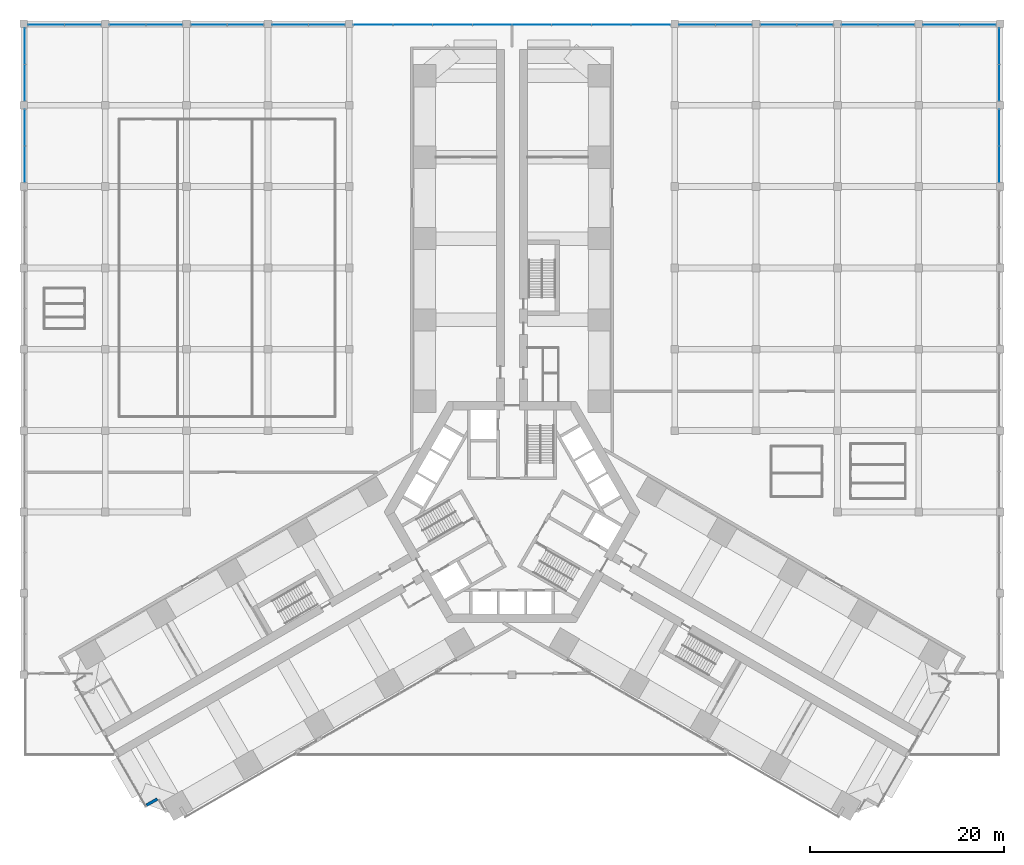
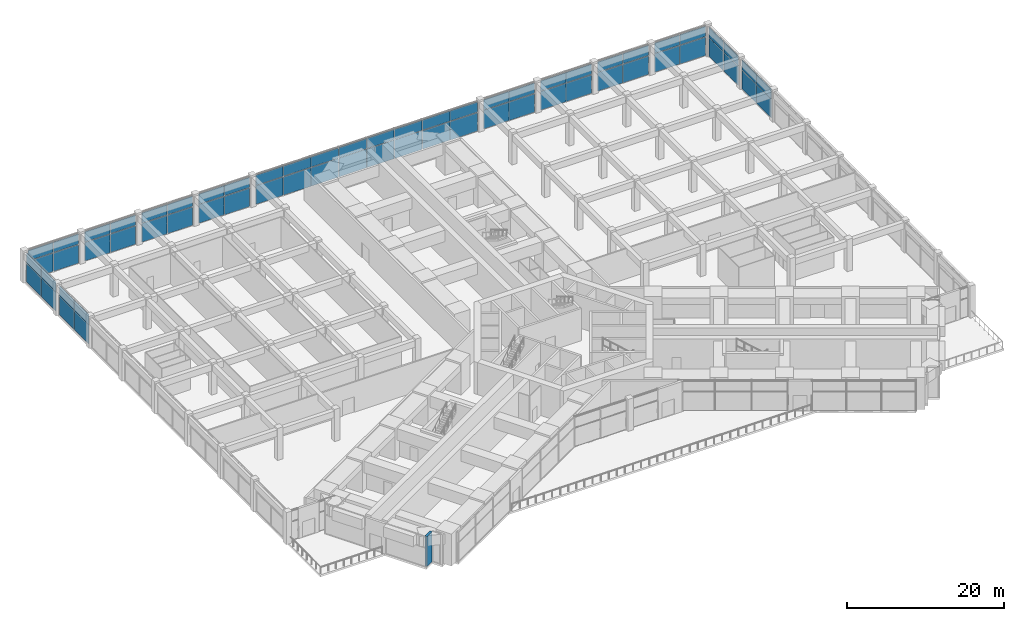
# One storey, part 26 of 34: 64 plates, 1 wall, 13 elements without a shape of their own.
"""IFC4 building model written with IfcOpenShell, lengths in metres."""

from ifc_helpers import new_model, si_unit, direction, frame, frame_2d, origin, origin_2d, place, context, subcontext, project, spatial, rectangle, extrude, material, layer, layer_set, type_object, element, aggregate, save


model = new_model("IFC4")

# Units and contexts
model_context = context("Model", 3, precision=1e-05, world=origin(), true_north=direction((0.0, 1.0)))
body_context = subcontext(model_context, "Body", "Model", "MODEL_VIEW")
ifc_project = project(units=[si_unit("LENGTHUNIT", "METRE"), si_unit("AREAUNIT", "SQUARE_METRE"), si_unit("VOLUMEUNIT", "CUBIC_METRE"), si_unit("PLANEANGLEUNIT", "RADIAN"), si_unit("MASSUNIT", "GRAM", prefix="KILO")], contexts=[model_context])

# Site, building, storey
site_placement = place(None, origin())
site = spatial("IfcSite", under=ifc_project, at=site_placement, CompositionType="ELEMENT")
building_placement = place(site_placement, origin())
building = spatial("IfcBuilding", under=site, at=building_placement, Name="Impinga Residences", CompositionType="ELEMENT")
storey_placement = place(building_placement, frame((0.0, 0.0, 16.0)))
storey = spatial("IfcBuildingStorey", under=building, at=storey_placement, Name="L03", CompositionType="ELEMENT", Elevation=16.0)

# Curtain wall, plates
ifc_material_1 = material(Name="Aluminium stick curtain wall", Category="aluminium")
curtain_wall_type = type_object("IfcCurtainWallType", Name="CW1 podium amenity curtain wall", PredefinedType="USERDEFINED", material=ifc_material_1)
curtain_wall_1_placement = place(storey_placement, origin())
curtain_wall_1 = element("IfcCurtainWall", 1, at=curtain_wall_1_placement, inside=storey, type_object=curtain_wall_type, Name="Curtain wall CW1 L03", ObjectType="STICK CURTAIN WALL", PredefinedType="USERDEFINED")
ifc_material_2 = material(Name="Clear double glazing", Category="glass")
ifc_layer_1 = layer(ifc_material_2, 0.028076171875)
ifc_layer_set_1 = layer_set([ifc_layer_1], Name="CW1-P clear double glazed panel 28")
plate_type = type_object("IfcPlateType", Name="CW1-P clear double glazed panel 28", PredefinedType="CURTAIN_PANEL", material=ifc_layer_set_1)
plate_1_placement = place(storey_placement, frame((-50.300048828125, 35.91650390625, 0.06005859375), z_axis=(0.0, 0.0, 1.0), x_axis=(0.0, 1.0, 0.0)))
plate_1 = element("IfcPlate", 2, at=plate_1_placement, type_object=plate_type, Name="CW1 panel 1.1", PredefinedType="CURTAIN_PANEL", context=body_context, shape_type="SweptSolid", body=[
    extrude(rectangle(XDim=3.70703125, YDim=0.028076171875, at=origin_2d()), origin(), (0.0, 0.0, 1.0), 2.909912109375),
])
plate_2_placement = place(storey_placement, frame((-50.300048828125, 35.91650390625, 3.02978515625), z_axis=(0.0, 0.0, 1.0), x_axis=(0.0, 1.0, 0.0)))
plate_2 = element("IfcPlate", 3, at=plate_2_placement, type_object=plate_type, Name="CW1 panel 1.2", PredefinedType="CURTAIN_PANEL", context=body_context, shape_type="SweptSolid", body=[
    extrude(rectangle(XDim=3.70703125, YDim=0.028076171875, at=origin_2d()), origin(), (0.0, 0.0, 1.0), 1.610107421875),
])
plate_3_placement = place(storey_placement, frame((-50.300048828125, 39.68359375, 0.06005859375), z_axis=(0.0, 0.0, 1.0), x_axis=(0.0, 1.0, 0.0)))
plate_3 = element("IfcPlate", 4, at=plate_3_placement, type_object=plate_type, Name="CW1 panel 2.1", PredefinedType="CURTAIN_PANEL", context=body_context, shape_type="SweptSolid", body=[
    extrude(rectangle(XDim=3.70703125, YDim=0.028076171875, at=origin_2d()), origin(), (0.0, 0.0, 1.0), 2.909912109375),
])
plate_4_placement = place(storey_placement, frame((-50.300048828125, 39.68359375, 3.02978515625), z_axis=(0.0, 0.0, 1.0), x_axis=(0.0, 1.0, 0.0)))
plate_4 = element("IfcPlate", 5, at=plate_4_placement, type_object=plate_type, Name="CW1 panel 2.2", PredefinedType="CURTAIN_PANEL", context=body_context, shape_type="SweptSolid", body=[
    extrude(rectangle(XDim=3.70703125, YDim=0.028076171875, at=origin_2d()), origin(), (0.0, 0.0, 1.0), 1.610107421875),
])
aggregate(curtain_wall_1, [plate_1, plate_2, plate_3, plate_4])

curtain_wall_2_placement = place(storey_placement, origin())
curtain_wall_2 = element("IfcCurtainWall", 6, at=curtain_wall_2_placement, inside=storey, type_object=curtain_wall_type, Name="Curtain wall CW1 L03", ObjectType="STICK CURTAIN WALL", PredefinedType="USERDEFINED")
plate_5_placement = place(storey_placement, frame((-50.300048828125, 44.31640625, 0.06005859375), z_axis=(0.0, 0.0, 1.0), x_axis=(0.0, 1.0, 0.0)))
plate_5 = element("IfcPlate", 7, at=plate_5_placement, type_object=plate_type, Name="CW1 panel 1.1", PredefinedType="CURTAIN_PANEL", context=body_context, shape_type="SweptSolid", body=[
    extrude(rectangle(XDim=3.70703125, YDim=0.028076171875, at=origin_2d()), origin(), (0.0, 0.0, 1.0), 2.909912109375),
])
plate_6_placement = place(storey_placement, frame((-50.300048828125, 44.31640625, 3.02978515625), z_axis=(0.0, 0.0, 1.0), x_axis=(0.0, 1.0, 0.0)))
plate_6 = element("IfcPlate", 8, at=plate_6_placement, type_object=plate_type, Name="CW1 panel 1.2", PredefinedType="CURTAIN_PANEL", context=body_context, shape_type="SweptSolid", body=[
    extrude(rectangle(XDim=3.70703125, YDim=0.028076171875, at=origin_2d()), origin(), (0.0, 0.0, 1.0), 1.610107421875),
])
plate_7_placement = place(storey_placement, frame((-50.300048828125, 48.08349609375, 0.06005859375), z_axis=(0.0, 0.0, 1.0), x_axis=(0.0, 1.0, 0.0)))
plate_7 = element("IfcPlate", 9, at=plate_7_placement, type_object=plate_type, Name="CW1 panel 2.1", PredefinedType="CURTAIN_PANEL", context=body_context, shape_type="SweptSolid", body=[
    extrude(rectangle(XDim=3.70703125, YDim=0.028076171875, at=origin_2d()), origin(), (0.0, 0.0, 1.0), 2.909912109375),
])
plate_8_placement = place(storey_placement, frame((-50.300048828125, 48.08349609375, 3.02978515625), z_axis=(0.0, 0.0, 1.0), x_axis=(0.0, 1.0, 0.0)))
plate_8 = element("IfcPlate", 10, at=plate_8_placement, type_object=plate_type, Name="CW1 panel 2.2", PredefinedType="CURTAIN_PANEL", context=body_context, shape_type="SweptSolid", body=[
    extrude(rectangle(XDim=3.70703125, YDim=0.028076171875, at=origin_2d()), origin(), (0.0, 0.0, 1.0), 1.610107421875),
])
aggregate(curtain_wall_2, [plate_5, plate_6, plate_7, plate_8])

curtain_wall_3_placement = place(storey_placement, origin())
curtain_wall_3 = element("IfcCurtainWall", 11, at=curtain_wall_3_placement, inside=storey, type_object=curtain_wall_type, Name="Curtain wall CW1 L03", ObjectType="STICK CURTAIN WALL", PredefinedType="USERDEFINED")
plate_9_placement = place(storey_placement, frame((-48.08349609375, 50.300048828125, 0.06005859375), z_axis=(0.0, 0.0, 1.0), x_axis=(1.0, 0.0, 0.0)))
plate_9 = element("IfcPlate", 12, at=plate_9_placement, type_object=plate_type, Name="CW1 panel 1.1", PredefinedType="CURTAIN_PANEL", context=body_context, shape_type="SweptSolid", body=[
    extrude(rectangle(XDim=3.70703125, YDim=0.028076171875, at=origin_2d()), origin(), (0.0, 0.0, 1.0), 2.909912109375),
])
plate_10_placement = place(storey_placement, frame((-48.08349609375, 50.300048828125, 3.02978515625), z_axis=(0.0, 0.0, 1.0), x_axis=(1.0, 0.0, 0.0)))
plate_10 = element("IfcPlate", 13, at=plate_10_placement, type_object=plate_type, Name="CW1 panel 1.2", PredefinedType="CURTAIN_PANEL", context=body_context, shape_type="SweptSolid", body=[
    extrude(rectangle(XDim=3.70703125, YDim=0.028076171875, at=origin_2d()), origin(), (0.0, 0.0, 1.0), 1.610107421875),
])
plate_11_placement = place(storey_placement, frame((-44.31640625, 50.300048828125, 0.06005859375), z_axis=(0.0, 0.0, 1.0), x_axis=(1.0, 0.0, 0.0)))
plate_11 = element("IfcPlate", 14, at=plate_11_placement, type_object=plate_type, Name="CW1 panel 2.1", PredefinedType="CURTAIN_PANEL", context=body_context, shape_type="SweptSolid", body=[
    extrude(rectangle(XDim=3.70703125, YDim=0.028076171875, at=origin_2d()), origin(), (0.0, 0.0, 1.0), 2.909912109375),
])
plate_12_placement = place(storey_placement, frame((-44.31640625, 50.300048828125, 3.02978515625), z_axis=(0.0, 0.0, 1.0), x_axis=(1.0, 0.0, 0.0)))
plate_12 = element("IfcPlate", 15, at=plate_12_placement, type_object=plate_type, Name="CW1 panel 2.2", PredefinedType="CURTAIN_PANEL", context=body_context, shape_type="SweptSolid", body=[
    extrude(rectangle(XDim=3.70703125, YDim=0.028076171875, at=origin_2d()), origin(), (0.0, 0.0, 1.0), 1.610107421875),
])
aggregate(curtain_wall_3, [plate_9, plate_10, plate_11, plate_12])

curtain_wall_4_placement = place(storey_placement, origin())
curtain_wall_4 = element("IfcCurtainWall", 16, at=curtain_wall_4_placement, inside=storey, type_object=curtain_wall_type, Name="Curtain wall CW1 L03", ObjectType="STICK CURTAIN WALL", PredefinedType="USERDEFINED")
plate_13_placement = place(storey_placement, frame((-39.68359375, 50.300048828125, 0.06005859375), z_axis=(0.0, 0.0, 1.0), x_axis=(1.0, 0.0, 0.0)))
plate_13 = element("IfcPlate", 17, at=plate_13_placement, type_object=plate_type, Name="CW1 panel 1.1", PredefinedType="CURTAIN_PANEL", context=body_context, shape_type="SweptSolid", body=[
    extrude(rectangle(XDim=3.70703125, YDim=0.028076171875, at=origin_2d()), origin(), (0.0, 0.0, 1.0), 2.909912109375),
])
plate_14_placement = place(storey_placement, frame((-39.68359375, 50.300048828125, 3.02978515625), z_axis=(0.0, 0.0, 1.0), x_axis=(1.0, 0.0, 0.0)))
plate_14 = element("IfcPlate", 18, at=plate_14_placement, type_object=plate_type, Name="CW1 panel 1.2", PredefinedType="CURTAIN_PANEL", context=body_context, shape_type="SweptSolid", body=[
    extrude(rectangle(XDim=3.70703125, YDim=0.028076171875, at=origin_2d()), origin(), (0.0, 0.0, 1.0), 1.610107421875),
])
plate_15_placement = place(storey_placement, frame((-35.91650390625, 50.300048828125, 0.06005859375), z_axis=(0.0, 0.0, 1.0), x_axis=(1.0, 0.0, 0.0)))
plate_15 = element("IfcPlate", 19, at=plate_15_placement, type_object=plate_type, Name="CW1 panel 2.1", PredefinedType="CURTAIN_PANEL", context=body_context, shape_type="SweptSolid", body=[
    extrude(rectangle(XDim=3.70703125, YDim=0.028076171875, at=origin_2d()), origin(), (0.0, 0.0, 1.0), 2.909912109375),
])
plate_16_placement = place(storey_placement, frame((-35.91650390625, 50.300048828125, 3.02978515625), z_axis=(0.0, 0.0, 1.0), x_axis=(1.0, 0.0, 0.0)))
plate_16 = element("IfcPlate", 20, at=plate_16_placement, type_object=plate_type, Name="CW1 panel 2.2", PredefinedType="CURTAIN_PANEL", context=body_context, shape_type="SweptSolid", body=[
    extrude(rectangle(XDim=3.70703125, YDim=0.028076171875, at=origin_2d()), origin(), (0.0, 0.0, 1.0), 1.610107421875),
])
aggregate(curtain_wall_4, [plate_13, plate_14, plate_15, plate_16])

curtain_wall_5_placement = place(storey_placement, origin())
curtain_wall_5 = element("IfcCurtainWall", 21, at=curtain_wall_5_placement, inside=storey, type_object=curtain_wall_type, Name="Curtain wall CW1 L03", ObjectType="STICK CURTAIN WALL", PredefinedType="USERDEFINED")
plate_17_placement = place(storey_placement, frame((-31.283447265625, 50.300048828125, 0.06005859375), z_axis=(0.0, 0.0, 1.0), x_axis=(1.0, 0.0, 0.0)))
plate_17 = element("IfcPlate", 22, at=plate_17_placement, type_object=plate_type, Name="CW1 panel 1.1", PredefinedType="CURTAIN_PANEL", context=body_context, shape_type="SweptSolid", body=[
    extrude(rectangle(XDim=3.70703125, YDim=0.028076171875, at=origin_2d()), origin(), (0.0, 0.0, 1.0), 2.909912109375),
])
plate_18_placement = place(storey_placement, frame((-31.283447265625, 50.300048828125, 3.02978515625), z_axis=(0.0, 0.0, 1.0), x_axis=(1.0, 0.0, 0.0)))
plate_18 = element("IfcPlate", 23, at=plate_18_placement, type_object=plate_type, Name="CW1 panel 1.2", PredefinedType="CURTAIN_PANEL", context=body_context, shape_type="SweptSolid", body=[
    extrude(rectangle(XDim=3.70703125, YDim=0.028076171875, at=origin_2d()), origin(), (0.0, 0.0, 1.0), 1.610107421875),
])
plate_19_placement = place(storey_placement, frame((-27.5166015625, 50.300048828125, 0.06005859375), z_axis=(0.0, 0.0, 1.0), x_axis=(1.0, 0.0, 0.0)))
plate_19 = element("IfcPlate", 24, at=plate_19_placement, type_object=plate_type, Name="CW1 panel 2.1", PredefinedType="CURTAIN_PANEL", context=body_context, shape_type="SweptSolid", body=[
    extrude(rectangle(XDim=3.70703125, YDim=0.028076171875, at=origin_2d()), origin(), (0.0, 0.0, 1.0), 2.909912109375),
])
plate_20_placement = place(storey_placement, frame((-27.5166015625, 50.300048828125, 3.02978515625), z_axis=(0.0, 0.0, 1.0), x_axis=(1.0, 0.0, 0.0)))
plate_20 = element("IfcPlate", 25, at=plate_20_placement, type_object=plate_type, Name="CW1 panel 2.2", PredefinedType="CURTAIN_PANEL", context=body_context, shape_type="SweptSolid", body=[
    extrude(rectangle(XDim=3.70703125, YDim=0.028076171875, at=origin_2d()), origin(), (0.0, 0.0, 1.0), 1.610107421875),
])
aggregate(curtain_wall_5, [plate_17, plate_18, plate_19, plate_20])

curtain_wall_6_placement = place(storey_placement, origin())
curtain_wall_6 = element("IfcCurtainWall", 26, at=curtain_wall_6_placement, inside=storey, type_object=curtain_wall_type, Name="Curtain wall CW1 L03", ObjectType="STICK CURTAIN WALL", PredefinedType="USERDEFINED")
plate_21_placement = place(storey_placement, frame((-22.883544921875, 50.300048828125, 0.06005859375), z_axis=(0.0, 0.0, 1.0), x_axis=(1.0, 0.0, 0.0)))
plate_21 = element("IfcPlate", 27, at=plate_21_placement, type_object=plate_type, Name="CW1 panel 1.1", PredefinedType="CURTAIN_PANEL", context=body_context, shape_type="SweptSolid", body=[
    extrude(rectangle(XDim=3.70703125, YDim=0.028076171875, at=origin_2d()), origin(), (0.0, 0.0, 1.0), 2.909912109375),
])
plate_22_placement = place(storey_placement, frame((-22.883544921875, 50.300048828125, 3.02978515625), z_axis=(0.0, 0.0, 1.0), x_axis=(1.0, 0.0, 0.0)))
plate_22 = element("IfcPlate", 28, at=plate_22_placement, type_object=plate_type, Name="CW1 panel 1.2", PredefinedType="CURTAIN_PANEL", context=body_context, shape_type="SweptSolid", body=[
    extrude(rectangle(XDim=3.70703125, YDim=0.028076171875, at=origin_2d()), origin(), (0.0, 0.0, 1.0), 1.610107421875),
])
plate_23_placement = place(storey_placement, frame((-19.116455078125, 50.300048828125, 0.06005859375), z_axis=(0.0, 0.0, 1.0), x_axis=(1.0, 0.0, 0.0)))
plate_23 = element("IfcPlate", 29, at=plate_23_placement, type_object=plate_type, Name="CW1 panel 2.1", PredefinedType="CURTAIN_PANEL", context=body_context, shape_type="SweptSolid", body=[
    extrude(rectangle(XDim=3.70703125, YDim=0.028076171875, at=origin_2d()), origin(), (0.0, 0.0, 1.0), 2.909912109375),
])
plate_24_placement = place(storey_placement, frame((-19.116455078125, 50.300048828125, 3.02978515625), z_axis=(0.0, 0.0, 1.0), x_axis=(1.0, 0.0, 0.0)))
plate_24 = element("IfcPlate", 30, at=plate_24_placement, type_object=plate_type, Name="CW1 panel 2.2", PredefinedType="CURTAIN_PANEL", context=body_context, shape_type="SweptSolid", body=[
    extrude(rectangle(XDim=3.70703125, YDim=0.028076171875, at=origin_2d()), origin(), (0.0, 0.0, 1.0), 1.610107421875),
])
aggregate(curtain_wall_6, [plate_21, plate_22, plate_23, plate_24])

curtain_wall_7_placement = place(storey_placement, origin())
curtain_wall_7 = element("IfcCurtainWall", 31, at=curtain_wall_7_placement, inside=storey, type_object=curtain_wall_type, Name="Curtain wall CW1 L03", ObjectType="STICK CURTAIN WALL", PredefinedType="USERDEFINED")
plate_25_placement = place(storey_placement, frame((-14.332275390625, 50.300048828125, 0.06005859375), z_axis=(0.0, 0.0, 1.0), x_axis=(1.0, 0.0, 0.0)))
plate_25 = element("IfcPlate", 32, at=plate_25_placement, type_object=plate_type, Name="CW1 panel 1.1", PredefinedType="CURTAIN_PANEL", context=body_context, shape_type="SweptSolid", body=[
    extrude(rectangle(XDim=4.00927734375, YDim=0.028076171875, at=origin_2d()), origin(), (0.0, 0.0, 1.0), 2.909912109375),
])
plate_26_placement = place(storey_placement, frame((-14.332275390625, 50.300048828125, 3.02978515625), z_axis=(0.0, 0.0, 1.0), x_axis=(1.0, 0.0, 0.0)))
plate_26 = element("IfcPlate", 33, at=plate_26_placement, type_object=plate_type, Name="CW1 panel 1.2", PredefinedType="CURTAIN_PANEL", context=body_context, shape_type="SweptSolid", body=[
    extrude(rectangle(XDim=4.00927734375, YDim=0.028076171875, at=origin_2d()), origin(), (0.0, 0.0, 1.0), 1.610107421875),
])
plate_27_placement = place(storey_placement, frame((-10.248046875, 50.300048828125, 0.06005859375), z_axis=(0.0, 0.0, 1.0), x_axis=(1.0, 0.0, 0.0)))
plate_27 = element("IfcPlate", 34, at=plate_27_placement, type_object=plate_type, Name="CW1 panel 2.1", PredefinedType="CURTAIN_PANEL", context=body_context, shape_type="SweptSolid", body=[
    extrude(rectangle(XDim=4.039306640625, YDim=0.028076171875, at=origin_2d()), origin(), (0.0, 0.0, 1.0), 2.909912109375),
])
plate_28_placement = place(storey_placement, frame((-10.248046875, 50.300048828125, 3.02978515625), z_axis=(0.0, 0.0, 1.0), x_axis=(1.0, 0.0, 0.0)))
plate_28 = element("IfcPlate", 35, at=plate_28_placement, type_object=plate_type, Name="CW1 panel 2.2", PredefinedType="CURTAIN_PANEL", context=body_context, shape_type="SweptSolid", body=[
    extrude(rectangle(XDim=4.039306640625, YDim=0.028076171875, at=origin_2d()), origin(), (0.0, 0.0, 1.0), 1.610107421875),
])
plate_29_placement = place(storey_placement, frame((-6.14892578125, 50.300048828125, 0.06005859375), z_axis=(0.0, 0.0, 1.0), x_axis=(1.0, 0.0, 0.0)))
plate_29 = element("IfcPlate", 36, at=plate_29_placement, type_object=plate_type, Name="CW1 panel 3.1", PredefinedType="CURTAIN_PANEL", context=body_context, shape_type="SweptSolid", body=[
    extrude(rectangle(XDim=4.039306640625, YDim=0.028076171875, at=origin_2d()), origin(), (0.0, 0.0, 1.0), 2.909912109375),
])
plate_30_placement = place(storey_placement, frame((-6.14892578125, 50.300048828125, 3.02978515625), z_axis=(0.0, 0.0, 1.0), x_axis=(1.0, 0.0, 0.0)))
plate_30 = element("IfcPlate", 37, at=plate_30_placement, type_object=plate_type, Name="CW1 panel 3.2", PredefinedType="CURTAIN_PANEL", context=body_context, shape_type="SweptSolid", body=[
    extrude(rectangle(XDim=4.039306640625, YDim=0.028076171875, at=origin_2d()), origin(), (0.0, 0.0, 1.0), 1.610107421875),
])
plate_31_placement = place(storey_placement, frame((-2.049560546875, 50.300048828125, 0.06005859375), z_axis=(0.0, 0.0, 1.0), x_axis=(1.0, 0.0, 0.0)))
plate_31 = element("IfcPlate", 38, at=plate_31_placement, type_object=plate_type, Name="CW1 panel 4.1", PredefinedType="CURTAIN_PANEL", context=body_context, shape_type="SweptSolid", body=[
    extrude(rectangle(XDim=4.039306640625, YDim=0.028076171875, at=origin_2d()), origin(), (0.0, 0.0, 1.0), 2.909912109375),
])
plate_32_placement = place(storey_placement, frame((-2.049560546875, 50.300048828125, 3.02978515625), z_axis=(0.0, 0.0, 1.0), x_axis=(1.0, 0.0, 0.0)))
plate_32 = element("IfcPlate", 39, at=plate_32_placement, type_object=plate_type, Name="CW1 panel 4.2", PredefinedType="CURTAIN_PANEL", context=body_context, shape_type="SweptSolid", body=[
    extrude(rectangle(XDim=4.039306640625, YDim=0.028076171875, at=origin_2d()), origin(), (0.0, 0.0, 1.0), 1.610107421875),
])
plate_33_placement = place(storey_placement, frame((2.049560546875, 50.300048828125, 0.06005859375), z_axis=(0.0, 0.0, 1.0), x_axis=(1.0, 0.0, 0.0)))
plate_33 = element("IfcPlate", 40, at=plate_33_placement, type_object=plate_type, Name="CW1 panel 5.1", PredefinedType="CURTAIN_PANEL", context=body_context, shape_type="SweptSolid", body=[
    extrude(rectangle(XDim=4.039306640625, YDim=0.028076171875, at=origin_2d()), origin(), (0.0, 0.0, 1.0), 2.909912109375),
])
plate_34_placement = place(storey_placement, frame((2.049560546875, 50.300048828125, 3.02978515625), z_axis=(0.0, 0.0, 1.0), x_axis=(1.0, 0.0, 0.0)))
plate_34 = element("IfcPlate", 41, at=plate_34_placement, type_object=plate_type, Name="CW1 panel 5.2", PredefinedType="CURTAIN_PANEL", context=body_context, shape_type="SweptSolid", body=[
    extrude(rectangle(XDim=4.039306640625, YDim=0.028076171875, at=origin_2d()), origin(), (0.0, 0.0, 1.0), 1.610107421875),
])
plate_35_placement = place(storey_placement, frame((6.14892578125, 50.300048828125, 0.06005859375), z_axis=(0.0, 0.0, 1.0), x_axis=(1.0, 0.0, 0.0)))
plate_35 = element("IfcPlate", 42, at=plate_35_placement, type_object=plate_type, Name="CW1 panel 6.1", PredefinedType="CURTAIN_PANEL", context=body_context, shape_type="SweptSolid", body=[
    extrude(rectangle(XDim=4.039306640625, YDim=0.028076171875, at=origin_2d()), origin(), (0.0, 0.0, 1.0), 2.909912109375),
])
plate_36_placement = place(storey_placement, frame((6.14892578125, 50.300048828125, 3.02978515625), z_axis=(0.0, 0.0, 1.0), x_axis=(1.0, 0.0, 0.0)))
plate_36 = element("IfcPlate", 43, at=plate_36_placement, type_object=plate_type, Name="CW1 panel 6.2", PredefinedType="CURTAIN_PANEL", context=body_context, shape_type="SweptSolid", body=[
    extrude(rectangle(XDim=4.039306640625, YDim=0.028076171875, at=origin_2d()), origin(), (0.0, 0.0, 1.0), 1.610107421875),
])
plate_37_placement = place(storey_placement, frame((10.248046875, 50.300048828125, 0.06005859375), z_axis=(0.0, 0.0, 1.0), x_axis=(1.0, 0.0, 0.0)))
plate_37 = element("IfcPlate", 44, at=plate_37_placement, type_object=plate_type, Name="CW1 panel 7.1", PredefinedType="CURTAIN_PANEL", context=body_context, shape_type="SweptSolid", body=[
    extrude(rectangle(XDim=4.039306640625, YDim=0.028076171875, at=origin_2d()), origin(), (0.0, 0.0, 1.0), 2.909912109375),
])
plate_38_placement = place(storey_placement, frame((10.248046875, 50.300048828125, 3.02978515625), z_axis=(0.0, 0.0, 1.0), x_axis=(1.0, 0.0, 0.0)))
plate_38 = element("IfcPlate", 45, at=plate_38_placement, type_object=plate_type, Name="CW1 panel 7.2", PredefinedType="CURTAIN_PANEL", context=body_context, shape_type="SweptSolid", body=[
    extrude(rectangle(XDim=4.039306640625, YDim=0.028076171875, at=origin_2d()), origin(), (0.0, 0.0, 1.0), 1.610107421875),
])
plate_39_placement = place(storey_placement, frame((14.332275390625, 50.300048828125, 0.06005859375), z_axis=(0.0, 0.0, 1.0), x_axis=(1.0, 0.0, 0.0)))
plate_39 = element("IfcPlate", 46, at=plate_39_placement, type_object=plate_type, Name="CW1 panel 8.1", PredefinedType="CURTAIN_PANEL", context=body_context, shape_type="SweptSolid", body=[
    extrude(rectangle(XDim=4.00927734375, YDim=0.028076171875, at=origin_2d()), origin(), (0.0, 0.0, 1.0), 2.909912109375),
])
plate_40_placement = place(storey_placement, frame((14.332275390625, 50.300048828125, 3.02978515625), z_axis=(0.0, 0.0, 1.0), x_axis=(1.0, 0.0, 0.0)))
plate_40 = element("IfcPlate", 47, at=plate_40_placement, type_object=plate_type, Name="CW1 panel 8.2", PredefinedType="CURTAIN_PANEL", context=body_context, shape_type="SweptSolid", body=[
    extrude(rectangle(XDim=4.00927734375, YDim=0.028076171875, at=origin_2d()), origin(), (0.0, 0.0, 1.0), 1.610107421875),
])
aggregate(curtain_wall_7, [plate_25, plate_26, plate_27, plate_28, plate_29, plate_30, plate_31, plate_32, plate_33, plate_34, plate_35, plate_36, plate_37, plate_38, plate_39, plate_40])

curtain_wall_8_placement = place(storey_placement, origin())
curtain_wall_8 = element("IfcCurtainWall", 48, at=curtain_wall_8_placement, inside=storey, type_object=curtain_wall_type, Name="Curtain wall CW1 L03", ObjectType="STICK CURTAIN WALL", PredefinedType="USERDEFINED")
plate_41_placement = place(storey_placement, frame((19.116455078125, 50.300048828125, 0.06005859375), z_axis=(0.0, 0.0, 1.0), x_axis=(1.0, 0.0, 0.0)))
plate_41 = element("IfcPlate", 49, at=plate_41_placement, type_object=plate_type, Name="CW1 panel 1.1", PredefinedType="CURTAIN_PANEL", context=body_context, shape_type="SweptSolid", body=[
    extrude(rectangle(XDim=3.70703125, YDim=0.028076171875, at=origin_2d()), origin(), (0.0, 0.0, 1.0), 2.909912109375),
])
plate_42_placement = place(storey_placement, frame((19.116455078125, 50.300048828125, 3.02978515625), z_axis=(0.0, 0.0, 1.0), x_axis=(1.0, 0.0, 0.0)))
plate_42 = element("IfcPlate", 50, at=plate_42_placement, type_object=plate_type, Name="CW1 panel 1.2", PredefinedType="CURTAIN_PANEL", context=body_context, shape_type="SweptSolid", body=[
    extrude(rectangle(XDim=3.70703125, YDim=0.028076171875, at=origin_2d()), origin(), (0.0, 0.0, 1.0), 1.610107421875),
])
plate_43_placement = place(storey_placement, frame((22.883544921875, 50.300048828125, 0.06005859375), z_axis=(0.0, 0.0, 1.0), x_axis=(1.0, 0.0, 0.0)))
plate_43 = element("IfcPlate", 51, at=plate_43_placement, type_object=plate_type, Name="CW1 panel 2.1", PredefinedType="CURTAIN_PANEL", context=body_context, shape_type="SweptSolid", body=[
    extrude(rectangle(XDim=3.70703125, YDim=0.028076171875, at=origin_2d()), origin(), (0.0, 0.0, 1.0), 2.909912109375),
])
plate_44_placement = place(storey_placement, frame((22.883544921875, 50.300048828125, 3.02978515625), z_axis=(0.0, 0.0, 1.0), x_axis=(1.0, 0.0, 0.0)))
plate_44 = element("IfcPlate", 52, at=plate_44_placement, type_object=plate_type, Name="CW1 panel 2.2", PredefinedType="CURTAIN_PANEL", context=body_context, shape_type="SweptSolid", body=[
    extrude(rectangle(XDim=3.70703125, YDim=0.028076171875, at=origin_2d()), origin(), (0.0, 0.0, 1.0), 1.610107421875),
])
aggregate(curtain_wall_8, [plate_41, plate_42, plate_43, plate_44])

curtain_wall_9_placement = place(storey_placement, origin())
curtain_wall_9 = element("IfcCurtainWall", 53, at=curtain_wall_9_placement, inside=storey, type_object=curtain_wall_type, Name="Curtain wall CW1 L03", ObjectType="STICK CURTAIN WALL", PredefinedType="USERDEFINED")
plate_45_placement = place(storey_placement, frame((27.5166015625, 50.300048828125, 0.06005859375), z_axis=(0.0, 0.0, 1.0), x_axis=(1.0, 0.0, 0.0)))
plate_45 = element("IfcPlate", 54, at=plate_45_placement, type_object=plate_type, Name="CW1 panel 1.1", PredefinedType="CURTAIN_PANEL", context=body_context, shape_type="SweptSolid", body=[
    extrude(rectangle(XDim=3.70703125, YDim=0.028076171875, at=origin_2d()), origin(), (0.0, 0.0, 1.0), 2.909912109375),
])
plate_46_placement = place(storey_placement, frame((27.5166015625, 50.300048828125, 3.02978515625), z_axis=(0.0, 0.0, 1.0), x_axis=(1.0, 0.0, 0.0)))
plate_46 = element("IfcPlate", 55, at=plate_46_placement, type_object=plate_type, Name="CW1 panel 1.2", PredefinedType="CURTAIN_PANEL", context=body_context, shape_type="SweptSolid", body=[
    extrude(rectangle(XDim=3.70703125, YDim=0.028076171875, at=origin_2d()), origin(), (0.0, 0.0, 1.0), 1.610107421875),
])
plate_47_placement = place(storey_placement, frame((31.283447265625, 50.300048828125, 0.06005859375), z_axis=(0.0, 0.0, 1.0), x_axis=(1.0, 0.0, 0.0)))
plate_47 = element("IfcPlate", 56, at=plate_47_placement, type_object=plate_type, Name="CW1 panel 2.1", PredefinedType="CURTAIN_PANEL", context=body_context, shape_type="SweptSolid", body=[
    extrude(rectangle(XDim=3.70703125, YDim=0.028076171875, at=origin_2d()), origin(), (0.0, 0.0, 1.0), 2.909912109375),
])
plate_48_placement = place(storey_placement, frame((31.283447265625, 50.300048828125, 3.02978515625), z_axis=(0.0, 0.0, 1.0), x_axis=(1.0, 0.0, 0.0)))
plate_48 = element("IfcPlate", 57, at=plate_48_placement, type_object=plate_type, Name="CW1 panel 2.2", PredefinedType="CURTAIN_PANEL", context=body_context, shape_type="SweptSolid", body=[
    extrude(rectangle(XDim=3.70703125, YDim=0.028076171875, at=origin_2d()), origin(), (0.0, 0.0, 1.0), 1.610107421875),
])
aggregate(curtain_wall_9, [plate_45, plate_46, plate_47, plate_48])

curtain_wall_10_placement = place(storey_placement, origin())
curtain_wall_10 = element("IfcCurtainWall", 58, at=curtain_wall_10_placement, inside=storey, type_object=curtain_wall_type, Name="Curtain wall CW1 L03", ObjectType="STICK CURTAIN WALL", PredefinedType="USERDEFINED")
plate_49_placement = place(storey_placement, frame((35.91650390625, 50.300048828125, 0.06005859375), z_axis=(0.0, 0.0, 1.0), x_axis=(1.0, 0.0, 0.0)))
plate_49 = element("IfcPlate", 59, at=plate_49_placement, type_object=plate_type, Name="CW1 panel 1.1", PredefinedType="CURTAIN_PANEL", context=body_context, shape_type="SweptSolid", body=[
    extrude(rectangle(XDim=3.70703125, YDim=0.028076171875, at=origin_2d()), origin(), (0.0, 0.0, 1.0), 2.909912109375),
])
plate_50_placement = place(storey_placement, frame((35.91650390625, 50.300048828125, 3.02978515625), z_axis=(0.0, 0.0, 1.0), x_axis=(1.0, 0.0, 0.0)))
plate_50 = element("IfcPlate", 60, at=plate_50_placement, type_object=plate_type, Name="CW1 panel 1.2", PredefinedType="CURTAIN_PANEL", context=body_context, shape_type="SweptSolid", body=[
    extrude(rectangle(XDim=3.70703125, YDim=0.028076171875, at=origin_2d()), origin(), (0.0, 0.0, 1.0), 1.610107421875),
])
plate_51_placement = place(storey_placement, frame((39.68359375, 50.300048828125, 0.06005859375), z_axis=(0.0, 0.0, 1.0), x_axis=(1.0, 0.0, 0.0)))
plate_51 = element("IfcPlate", 61, at=plate_51_placement, type_object=plate_type, Name="CW1 panel 2.1", PredefinedType="CURTAIN_PANEL", context=body_context, shape_type="SweptSolid", body=[
    extrude(rectangle(XDim=3.70703125, YDim=0.028076171875, at=origin_2d()), origin(), (0.0, 0.0, 1.0), 2.909912109375),
])
plate_52_placement = place(storey_placement, frame((39.68359375, 50.300048828125, 3.02978515625), z_axis=(0.0, 0.0, 1.0), x_axis=(1.0, 0.0, 0.0)))
plate_52 = element("IfcPlate", 62, at=plate_52_placement, type_object=plate_type, Name="CW1 panel 2.2", PredefinedType="CURTAIN_PANEL", context=body_context, shape_type="SweptSolid", body=[
    extrude(rectangle(XDim=3.70703125, YDim=0.028076171875, at=origin_2d()), origin(), (0.0, 0.0, 1.0), 1.610107421875),
])
aggregate(curtain_wall_10, [plate_49, plate_50, plate_51, plate_52])

curtain_wall_11_placement = place(storey_placement, origin())
curtain_wall_11 = element("IfcCurtainWall", 63, at=curtain_wall_11_placement, inside=storey, type_object=curtain_wall_type, Name="Curtain wall CW1 L03", ObjectType="STICK CURTAIN WALL", PredefinedType="USERDEFINED")
plate_53_placement = place(storey_placement, frame((44.31640625, 50.300048828125, 0.06005859375), z_axis=(0.0, 0.0, 1.0), x_axis=(1.0, 0.0, 0.0)))
plate_53 = element("IfcPlate", 64, at=plate_53_placement, type_object=plate_type, Name="CW1 panel 1.1", PredefinedType="CURTAIN_PANEL", context=body_context, shape_type="SweptSolid", body=[
    extrude(rectangle(XDim=3.70703125, YDim=0.028076171875, at=origin_2d()), origin(), (0.0, 0.0, 1.0), 2.909912109375),
])
plate_54_placement = place(storey_placement, frame((44.31640625, 50.300048828125, 3.02978515625), z_axis=(0.0, 0.0, 1.0), x_axis=(1.0, 0.0, 0.0)))
plate_54 = element("IfcPlate", 65, at=plate_54_placement, type_object=plate_type, Name="CW1 panel 1.2", PredefinedType="CURTAIN_PANEL", context=body_context, shape_type="SweptSolid", body=[
    extrude(rectangle(XDim=3.70703125, YDim=0.028076171875, at=origin_2d()), origin(), (0.0, 0.0, 1.0), 1.610107421875),
])
plate_55_placement = place(storey_placement, frame((48.08349609375, 50.300048828125, 0.06005859375), z_axis=(0.0, 0.0, 1.0), x_axis=(1.0, 0.0, 0.0)))
plate_55 = element("IfcPlate", 66, at=plate_55_placement, type_object=plate_type, Name="CW1 panel 2.1", PredefinedType="CURTAIN_PANEL", context=body_context, shape_type="SweptSolid", body=[
    extrude(rectangle(XDim=3.70703125, YDim=0.028076171875, at=origin_2d()), origin(), (0.0, 0.0, 1.0), 2.909912109375),
])
plate_56_placement = place(storey_placement, frame((48.08349609375, 50.300048828125, 3.02978515625), z_axis=(0.0, 0.0, 1.0), x_axis=(1.0, 0.0, 0.0)))
plate_56 = element("IfcPlate", 67, at=plate_56_placement, type_object=plate_type, Name="CW1 panel 2.2", PredefinedType="CURTAIN_PANEL", context=body_context, shape_type="SweptSolid", body=[
    extrude(rectangle(XDim=3.70703125, YDim=0.028076171875, at=origin_2d()), origin(), (0.0, 0.0, 1.0), 1.610107421875),
])
aggregate(curtain_wall_11, [plate_53, plate_54, plate_55, plate_56])

curtain_wall_12_placement = place(storey_placement, origin())
curtain_wall_12 = element("IfcCurtainWall", 68, at=curtain_wall_12_placement, inside=storey, type_object=curtain_wall_type, Name="Curtain wall CW1 L03", ObjectType="STICK CURTAIN WALL", PredefinedType="USERDEFINED")
plate_57_placement = place(storey_placement, frame((50.300048828125, 48.08349609375, 0.06005859375), z_axis=(0.0, 0.0, 1.0), x_axis=(0.0, -1.0, 0.0)))
plate_57 = element("IfcPlate", 69, at=plate_57_placement, type_object=plate_type, Name="CW1 panel 1.1", PredefinedType="CURTAIN_PANEL", context=body_context, shape_type="SweptSolid", body=[
    extrude(rectangle(XDim=3.70703125, YDim=0.028076171875, at=origin_2d()), origin(), (0.0, 0.0, 1.0), 2.909912109375),
])
plate_58_placement = place(storey_placement, frame((50.300048828125, 48.08349609375, 3.02978515625), z_axis=(0.0, 0.0, 1.0), x_axis=(0.0, -1.0, 0.0)))
plate_58 = element("IfcPlate", 70, at=plate_58_placement, type_object=plate_type, Name="CW1 panel 1.2", PredefinedType="CURTAIN_PANEL", context=body_context, shape_type="SweptSolid", body=[
    extrude(rectangle(XDim=3.70703125, YDim=0.028076171875, at=origin_2d()), origin(), (0.0, 0.0, 1.0), 1.610107421875),
])
plate_59_placement = place(storey_placement, frame((50.300048828125, 44.31640625, 0.06005859375), z_axis=(0.0, 0.0, 1.0), x_axis=(0.0, -1.0, 0.0)))
plate_59 = element("IfcPlate", 71, at=plate_59_placement, type_object=plate_type, Name="CW1 panel 2.1", PredefinedType="CURTAIN_PANEL", context=body_context, shape_type="SweptSolid", body=[
    extrude(rectangle(XDim=3.70703125, YDim=0.028076171875, at=origin_2d()), origin(), (0.0, 0.0, 1.0), 2.909912109375),
])
plate_60_placement = place(storey_placement, frame((50.300048828125, 44.31640625, 3.02978515625), z_axis=(0.0, 0.0, 1.0), x_axis=(0.0, -1.0, 0.0)))
plate_60 = element("IfcPlate", 72, at=plate_60_placement, type_object=plate_type, Name="CW1 panel 2.2", PredefinedType="CURTAIN_PANEL", context=body_context, shape_type="SweptSolid", body=[
    extrude(rectangle(XDim=3.70703125, YDim=0.028076171875, at=origin_2d()), origin(), (0.0, 0.0, 1.0), 1.610107421875),
])
aggregate(curtain_wall_12, [plate_57, plate_58, plate_59, plate_60])

curtain_wall_13_placement = place(storey_placement, origin())
curtain_wall_13 = element("IfcCurtainWall", 73, at=curtain_wall_13_placement, inside=storey, type_object=curtain_wall_type, Name="Curtain wall CW1 L03", ObjectType="STICK CURTAIN WALL", PredefinedType="USERDEFINED")
plate_61_placement = place(storey_placement, frame((50.300048828125, 39.68359375, 0.06005859375), z_axis=(0.0, 0.0, 1.0), x_axis=(0.0, -1.0, 0.0)))
plate_61 = element("IfcPlate", 74, at=plate_61_placement, type_object=plate_type, Name="CW1 panel 1.1", PredefinedType="CURTAIN_PANEL", context=body_context, shape_type="SweptSolid", body=[
    extrude(rectangle(XDim=3.70703125, YDim=0.028076171875, at=origin_2d()), origin(), (0.0, 0.0, 1.0), 2.909912109375),
])
plate_62_placement = place(storey_placement, frame((50.300048828125, 39.68359375, 3.02978515625), z_axis=(0.0, 0.0, 1.0), x_axis=(0.0, -1.0, 0.0)))
plate_62 = element("IfcPlate", 75, at=plate_62_placement, type_object=plate_type, Name="CW1 panel 1.2", PredefinedType="CURTAIN_PANEL", context=body_context, shape_type="SweptSolid", body=[
    extrude(rectangle(XDim=3.70703125, YDim=0.028076171875, at=origin_2d()), origin(), (0.0, 0.0, 1.0), 1.610107421875),
])
plate_63_placement = place(storey_placement, frame((50.300048828125, 35.91650390625, 0.06005859375), z_axis=(0.0, 0.0, 1.0), x_axis=(0.0, -1.0, 0.0)))
plate_63 = element("IfcPlate", 76, at=plate_63_placement, type_object=plate_type, Name="CW1 panel 2.1", PredefinedType="CURTAIN_PANEL", context=body_context, shape_type="SweptSolid", body=[
    extrude(rectangle(XDim=3.70703125, YDim=0.028076171875, at=origin_2d()), origin(), (0.0, 0.0, 1.0), 2.909912109375),
])
plate_64_placement = place(storey_placement, frame((50.300048828125, 35.91650390625, 3.02978515625), z_axis=(0.0, 0.0, 1.0), x_axis=(0.0, -1.0, 0.0)))
plate_64 = element("IfcPlate", 77, at=plate_64_placement, type_object=plate_type, Name="CW1 panel 2.2", PredefinedType="CURTAIN_PANEL", context=body_context, shape_type="SweptSolid", body=[
    extrude(rectangle(XDim=3.70703125, YDim=0.028076171875, at=origin_2d()), origin(), (0.0, 0.0, 1.0), 1.610107421875),
])
aggregate(curtain_wall_13, [plate_61, plate_62, plate_63, plate_64])

# Wall
ifc_material_3 = material(Name="Stone facing on blockwork", Category="masonry")
ifc_layer_2 = layer(ifc_material_3, 0.300048828125)
ifc_layer_set_2 = layer_set([ifc_layer_2], Name="EW2 external wall, stone facing on blockwork 300")
wall_type = type_object("IfcWallType", Name="EW2 external wall, stone facing on blockwork 300", PredefinedType="SOLIDWALL", material=ifc_layer_set_2)
wall_placement = place(storey_placement, frame((-36.6181640625, -29.628662109375, 0.0), z_axis=(0.0, 0.0, 1.0), x_axis=(-0.866101796549, -0.4998676605, 0.0)))
element("IfcWall", 78, at=wall_placement, inside=storey, type_object=wall_type, Name="External wall EW2 L03", PredefinedType="SOLIDWALL", context=body_context, shape_type="SweptSolid", body=[
    extrude(rectangle(XDim=1.309814453125, YDim=0.300048828125, at=frame_2d((0.65478515625, 0.0))), origin(), (0.0, 0.0, 1.0), 4.699951171875),
])

save(model, "model.ifc")
